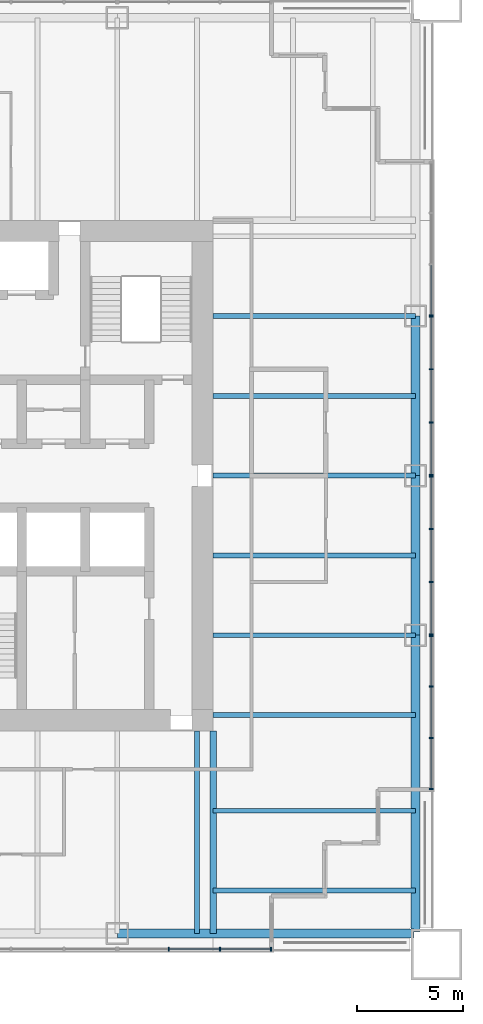
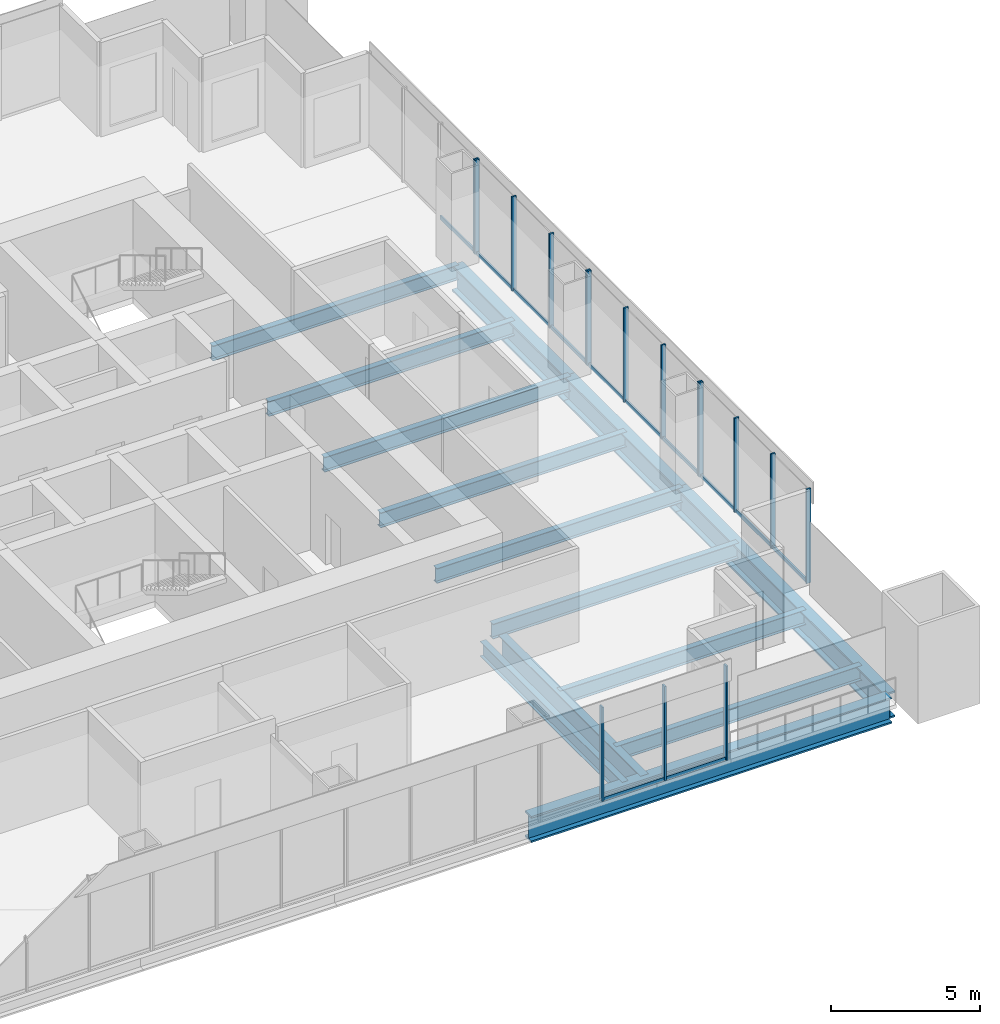
# One storey, part 4 of 13: 28 members, 14 beams, 5 elements without a shape of their own.
"""IFC4 building model written with IfcOpenShell, lengths in metres."""

from ifc_helpers import new_model, si_unit, direction, frame, origin, origin_2d, place, context, subcontext, project, spatial, rectangle, i_section, extrude, material, material_profile, profile_set, type_object, element, aggregate, save


model = new_model("IFC4")

# Units and contexts
model_context = context("Model", 3, precision=1e-05, world=origin(), true_north=direction((0.0, 1.0)))
body_context = subcontext(model_context, "Body", "Model", "MODEL_VIEW")
ifc_project = project(units=[si_unit("LENGTHUNIT", "METRE"), si_unit("AREAUNIT", "SQUARE_METRE"), si_unit("VOLUMEUNIT", "CUBIC_METRE"), si_unit("PLANEANGLEUNIT", "RADIAN"), si_unit("MASSUNIT", "GRAM", prefix="KILO")], contexts=[model_context])

# Site, building, storey
site_placement = place(None, origin())
site = spatial("IfcSite", under=ifc_project, at=site_placement, CompositionType="ELEMENT")
building_placement = place(site_placement, origin())
building = spatial("IfcBuilding", under=site, at=building_placement, Name="Tarangal Relay Tower", CompositionType="ELEMENT")
storey_placement = place(building_placement, frame((0.0, 0.0, 217.89990234375)))
storey = spatial("IfcBuildingStorey", under=building, at=storey_placement, Name="L46", CompositionType="ELEMENT", Elevation=217.89990234375)

# Beams
ifc_material_1 = material(Name="Steel ASTM A992", Category="steel")
ifc_material_profile_1 = material_profile(ifc_material_1, i_section(OverallWidth=0.227783203125, OverallDepth=0.60205078125, WebThickness=0.010498046875, FlangeThickness=0.014892578125, at=origin_2d()), Name="W24X68")
ifc_profile_set_1 = profile_set([ifc_material_profile_1], Name="Steel ASTM A992")
beam_type_1 = type_object("IfcBeamType", Name="Corner beam W24X68", PredefinedType="JOIST", material=ifc_profile_set_1)
for number, where, z_axis, x_axis, name in (
    (1, (12.0, -15.75, -0.450927734375), (1.0, 0.0, 0.0), (0.0, 1.0, 0.0), "Corner beam CB11 E L46"),
    (2, (12.0, -19.5, -0.450927734375), (1.0, 0.0, 0.0), (0.0, 1.0, 0.0), "Corner beam CB11 E L46"),
):
    element("IfcBeam", number, at=place(storey_placement, frame(where, z_axis=z_axis, x_axis=x_axis)), inside=storey, type_object=beam_type_1, Name=name, PredefinedType="JOIST", context=body_context, shape_type="SweptSolid", body=[
        extrude(i_section(OverallWidth=0.227783203125, OverallDepth=0.60205078125, WebThickness=0.010498046875, FlangeThickness=0.014892578125, at=origin_2d()), origin(), (0.0, 0.0, 1.0), 9.514892578125),
    ])
ifc_material_profile_2 = material_profile(ifc_material_1, i_section(OverallWidth=0.307373046875, OverallDepth=0.9423828125, WebThickness=0.022216796875, FlangeThickness=0.039794921875, at=origin_2d()), Name="W36X232")
ifc_profile_set_2 = profile_set([ifc_material_profile_2], Name="Steel ASTM A992")
beam_type_2 = type_object("IfcBeamType", Name="Corner girder W36X232", PredefinedType="BEAM", material=ifc_profile_set_2)
beam_placement = place(storey_placement, frame((12.0, -12.0, -0.62109375), z_axis=(0.0, -1.0, 0.0), x_axis=(1.0, 0.0, 0.0)))
element("IfcBeam", 3, at=beam_placement, inside=storey, type_object=beam_type_2, Name="Corner girder CG4 E L46", PredefinedType="BEAM", context=body_context, shape_type="SweptSolid", body=[
    extrude(i_section(OverallWidth=0.307373046875, OverallDepth=0.9423828125, WebThickness=0.022216796875, FlangeThickness=0.039794921875, at=origin_2d()), origin(), (0.0, 0.0, 1.0), 9.514892578125),
])
ifc_material_profile_3 = material_profile(ifc_material_1, i_section(OverallWidth=0.41650390625, OverallDepth=1.0693359375, WebThickness=0.0390625, FlangeThickness=0.070068359375, at=origin_2d()), Name="W40X503")
ifc_profile_set_3 = profile_set([ifc_material_profile_3], Name="Steel ASTM A992")
beam_type_3 = type_object("IfcBeamType", Name="Edge girder W40X503", PredefinedType="SPANDREL", material=ifc_profile_set_3)
for number, where, z_axis, x_axis, name in (
    (4, (21.514892578125, 7.5, -0.6845703125), (0.0, -1.0, 0.0), (1.0, 0.0, 0.0), "Edge girder EG8 E L46"),
    (5, (21.514892578125, 0.0, -0.6845703125), (0.0, -1.0, 0.0), (1.0, 0.0, 0.0), "Edge girder EG8 E L46"),
):
    element("IfcBeam", number, at=place(storey_placement, frame(where, z_axis=z_axis, x_axis=x_axis)), inside=storey, type_object=beam_type_3, Name=name, PredefinedType="SPANDREL", context=body_context, shape_type="SweptSolid", body=[
        extrude(i_section(OverallWidth=0.41650390625, OverallDepth=1.0693359375, WebThickness=0.0390625, FlangeThickness=0.070068359375, at=origin_2d()), origin(), (0.0, 0.0, 1.0), 7.5),
    ])
for number, where, z_axis, x_axis, name in (
    (6, (21.514892578125, -7.5, -0.6845703125), (0.0, -1.0, 0.0), (1.0, 0.0, 0.0), "Edge girder EG8 E L46"),
    (7, (21.449951171875, -21.514892578125, -0.6845703125), (-1.0, 0.0, 0.0), (0.0, -1.0, 0.0), "Edge girder EG8 S L46"),
):
    element("IfcBeam", number, at=place(storey_placement, frame(where, z_axis=z_axis, x_axis=x_axis)), inside=storey, type_object=beam_type_3, Name=name, PredefinedType="SPANDREL", context=body_context, shape_type="SweptSolid", body=[
        extrude(i_section(OverallWidth=0.41650390625, OverallDepth=1.0693359375, WebThickness=0.0390625, FlangeThickness=0.070068359375, at=origin_2d()), origin(), (0.0, 0.0, 1.0), 13.949951171875),
    ])
ifc_material_profile_4 = material_profile(ifc_material_1, i_section(OverallWidth=0.22900390625, OverallDepth=0.612060546875, WebThickness=0.011962890625, FlangeThickness=0.01953125, at=origin_2d()), Name="W24X84")
ifc_profile_set_4 = profile_set([ifc_material_profile_4], Name="Steel ASTM A992")
beam_type_4 = type_object("IfcBeamType", Name="Floor beam W24X84", PredefinedType="BEAM", material=ifc_profile_set_4)
for number, where, z_axis, x_axis, name in (
    (8, (12.0, 7.5, -0.455810546875), (1.0, 0.0, 0.0), (0.0, 1.0, 0.0), "Floor beam RB12 E L46"),
    (9, (12.0, 3.75, -0.455810546875), (1.0, 0.0, 0.0), (0.0, 1.0, 0.0), "Floor beam RB12 E L46"),
    (10, (12.0, 0.0, -0.455810546875), (1.0, 0.0, 0.0), (0.0, 1.0, 0.0), "Floor beam RB12 E L46"),
    (11, (12.0, -3.75, -0.455810546875), (1.0, 0.0, 0.0), (0.0, 1.0, 0.0), "Floor beam RB12 E L46"),
    (12, (12.0, -7.5, -0.455810546875), (1.0, 0.0, 0.0), (0.0, 1.0, 0.0), "Floor beam RB12 E L46"),
    (13, (12.0, -11.25, -0.455810546875), (1.0, 0.0, 0.0), (0.0, 1.0, 0.0), "Floor beam RB12 E L46"),
    (14, (11.25, -12.0, -0.455810546875), (0.0, -1.0, 0.0), (1.0, 0.0, 0.0), "Floor beam RB12 S L46"),
):
    element("IfcBeam", number, at=place(storey_placement, frame(where, z_axis=z_axis, x_axis=x_axis)), inside=storey, type_object=beam_type_4, Name=name, PredefinedType="BEAM", context=body_context, shape_type="SweptSolid", body=[
        extrude(i_section(OverallWidth=0.22900390625, OverallDepth=0.612060546875, WebThickness=0.011962890625, FlangeThickness=0.01953125, at=origin_2d()), origin(), (0.0, 0.0, 1.0), 9.514892578125),
    ])

# Curtain wall, member
ifc_material_2 = material(Name="Unitised curtain wall, dark glass and black aluminium", Category="aluminium")
curtain_wall_type = type_object("IfcCurtainWallType", Name="Curtain wall CW-A", PredefinedType="USERDEFINED", material=ifc_material_2)
curtain_wall_1_placement = place(storey_placement, origin())
curtain_wall_1 = element("IfcCurtainWall", 15, at=curtain_wall_1_placement, inside=storey, type_object=curtain_wall_type, Name="Curtain wall CW-A E facade L46", ObjectType="UNITISED CURTAIN WALL", PredefinedType="USERDEFINED")
ifc_material_3 = material(Name="Black anodised aluminium mullion", Category="aluminium")
ifc_material_profile_5 = material_profile(ifc_material_3, rectangle(XDim=0.175048828125, YDim=0.06494140625, at=origin_2d()), Name="CW-AM 65X175")
ifc_profile_set_5 = profile_set([ifc_material_profile_5], Name="Black anodised aluminium mullion")
member_type_1 = type_object("IfcMemberType", Name="Mullion CW-A 65 x 175", PredefinedType="MULLION", material=ifc_profile_set_5)
member_1_placement = place(storey_placement, frame((22.25, 7.532470703125, 0.0), z_axis=(0.0, 0.0, 1.0), x_axis=(1.0, 0.0, 0.0)))
member_1 = element("IfcMember", 16, at=member_1_placement, type_object=member_type_1, Name="CW-A mullion 4", PredefinedType="MULLION", context=body_context, shape_type="SweptSolid", body=[
    extrude(rectangle(XDim=0.175048828125, YDim=0.06494140625, at=origin_2d()), origin(), (0.0, 0.0, 1.0), 3.85009765625),
])

# Curtain wall, members
curtain_wall_2_placement = place(storey_placement, origin())
curtain_wall_2 = element("IfcCurtainWall", 17, at=curtain_wall_2_placement, inside=storey, type_object=curtain_wall_type, Name="Curtain wall CW-A E facade L46", ObjectType="UNITISED CURTAIN WALL", PredefinedType="USERDEFINED")
member_2_placement = place(storey_placement, frame((22.25, 7.467529296875, 0.0), z_axis=(0.0, 0.0, 1.0), x_axis=(1.0, 0.0, 0.0)))
member_2 = element("IfcMember", 18, at=member_2_placement, type_object=member_type_1, Name="CW-A mullion 1", PredefinedType="MULLION", context=body_context, shape_type="SweptSolid", body=[
    extrude(rectangle(XDim=0.175048828125, YDim=0.06494140625, at=origin_2d()), origin(), (0.0, 0.0, 1.0), 3.85009765625),
])
member_3_placement = place(storey_placement, frame((22.25, 5.0, 0.0), z_axis=(0.0, 0.0, 1.0), x_axis=(1.0, 0.0, 0.0)))
member_3 = element("IfcMember", 19, at=member_3_placement, type_object=member_type_1, Name="CW-A mullion 2", PredefinedType="MULLION", context=body_context, shape_type="SweptSolid", body=[
    extrude(rectangle(XDim=0.175048828125, YDim=0.06494140625, at=origin_2d()), origin(), (0.0, 0.0, 1.0), 3.85009765625),
])
member_4_placement = place(storey_placement, frame((22.25, 2.5, 0.0), z_axis=(0.0, 0.0, 1.0), x_axis=(1.0, 0.0, 0.0)))
member_4 = element("IfcMember", 20, at=member_4_placement, type_object=member_type_1, Name="CW-A mullion 3", PredefinedType="MULLION", context=body_context, shape_type="SweptSolid", body=[
    extrude(rectangle(XDim=0.175048828125, YDim=0.06494140625, at=origin_2d()), origin(), (0.0, 0.0, 1.0), 3.85009765625),
])
member_5_placement = place(storey_placement, frame((22.25, 0.032470703125, 0.0), z_axis=(0.0, 0.0, 1.0), x_axis=(1.0, 0.0, 0.0)))
member_5 = element("IfcMember", 21, at=member_5_placement, type_object=member_type_1, Name="CW-A mullion 4", PredefinedType="MULLION", context=body_context, shape_type="SweptSolid", body=[
    extrude(rectangle(XDim=0.175048828125, YDim=0.06494140625, at=origin_2d()), origin(), (0.0, 0.0, 1.0), 3.85009765625),
])

curtain_wall_3_placement = place(storey_placement, origin())
curtain_wall_3 = element("IfcCurtainWall", 22, at=curtain_wall_3_placement, inside=storey, type_object=curtain_wall_type, Name="Curtain wall CW-A E facade L46", ObjectType="UNITISED CURTAIN WALL", PredefinedType="USERDEFINED")
member_6_placement = place(storey_placement, frame((22.25, -0.032470703125, 0.0), z_axis=(0.0, 0.0, 1.0), x_axis=(1.0, 0.0, 0.0)))
member_6 = element("IfcMember", 23, at=member_6_placement, type_object=member_type_1, Name="CW-A mullion 1", PredefinedType="MULLION", context=body_context, shape_type="SweptSolid", body=[
    extrude(rectangle(XDim=0.175048828125, YDim=0.06494140625, at=origin_2d()), origin(), (0.0, 0.0, 1.0), 3.85009765625),
])
member_7_placement = place(storey_placement, frame((22.25, -2.5, 0.0), z_axis=(0.0, 0.0, 1.0), x_axis=(1.0, 0.0, 0.0)))
member_7 = element("IfcMember", 24, at=member_7_placement, type_object=member_type_1, Name="CW-A mullion 2", PredefinedType="MULLION", context=body_context, shape_type="SweptSolid", body=[
    extrude(rectangle(XDim=0.175048828125, YDim=0.06494140625, at=origin_2d()), origin(), (0.0, 0.0, 1.0), 3.85009765625),
])
member_8_placement = place(storey_placement, frame((22.25, -5.0, 0.0), z_axis=(0.0, 0.0, 1.0), x_axis=(1.0, 0.0, 0.0)))
member_8 = element("IfcMember", 25, at=member_8_placement, type_object=member_type_1, Name="CW-A mullion 3", PredefinedType="MULLION", context=body_context, shape_type="SweptSolid", body=[
    extrude(rectangle(XDim=0.175048828125, YDim=0.06494140625, at=origin_2d()), origin(), (0.0, 0.0, 1.0), 3.85009765625),
])
member_9_placement = place(storey_placement, frame((22.25, -7.467529296875, 0.0), z_axis=(0.0, 0.0, 1.0), x_axis=(1.0, 0.0, 0.0)))
member_9 = element("IfcMember", 26, at=member_9_placement, type_object=member_type_1, Name="CW-A mullion 4", PredefinedType="MULLION", context=body_context, shape_type="SweptSolid", body=[
    extrude(rectangle(XDim=0.175048828125, YDim=0.06494140625, at=origin_2d()), origin(), (0.0, 0.0, 1.0), 3.85009765625),
])

curtain_wall_4_placement = place(storey_placement, origin())
curtain_wall_4 = element("IfcCurtainWall", 27, at=curtain_wall_4_placement, inside=storey, type_object=curtain_wall_type, Name="Curtain wall CW-A E facade L46", ObjectType="UNITISED CURTAIN WALL", PredefinedType="USERDEFINED")
member_10_placement = place(storey_placement, frame((22.25, -7.532470703125, 0.0), z_axis=(0.0, 0.0, 1.0), x_axis=(1.0, 0.0, 0.0)))
member_10 = element("IfcMember", 28, at=member_10_placement, type_object=member_type_1, Name="CW-A mullion 1", PredefinedType="MULLION", context=body_context, shape_type="SweptSolid", body=[
    extrude(rectangle(XDim=0.175048828125, YDim=0.06494140625, at=origin_2d()), origin(), (0.0, 0.0, 1.0), 3.85009765625),
])
member_11_placement = place(storey_placement, frame((22.25, -9.916748046875, 0.0), z_axis=(0.0, 0.0, 1.0), x_axis=(1.0, 0.0, 0.0)))
member_11 = element("IfcMember", 29, at=member_11_placement, type_object=member_type_1, Name="CW-A mullion 2", PredefinedType="MULLION", context=body_context, shape_type="SweptSolid", body=[
    extrude(rectangle(XDim=0.175048828125, YDim=0.06494140625, at=origin_2d()), origin(), (0.0, 0.0, 1.0), 3.85009765625),
])
member_12_placement = place(storey_placement, frame((22.25, -12.333251953125, 0.0), z_axis=(0.0, 0.0, 1.0), x_axis=(1.0, 0.0, 0.0)))
member_12 = element("IfcMember", 30, at=member_12_placement, type_object=member_type_1, Name="CW-A mullion 3", PredefinedType="MULLION", context=body_context, shape_type="SweptSolid", body=[
    extrude(rectangle(XDim=0.175048828125, YDim=0.06494140625, at=origin_2d()), origin(), (0.0, 0.0, 1.0), 3.85009765625),
])
member_13_placement = place(storey_placement, frame((22.25, -14.717529296875, 0.0), z_axis=(0.0, 0.0, 1.0), x_axis=(1.0, 0.0, 0.0)))
member_13 = element("IfcMember", 31, at=member_13_placement, type_object=member_type_1, Name="CW-A mullion 4", PredefinedType="MULLION", context=body_context, shape_type="SweptSolid", body=[
    extrude(rectangle(XDim=0.175048828125, YDim=0.06494140625, at=origin_2d()), origin(), (0.0, 0.0, 1.0), 3.85009765625),
])

curtain_wall_5_placement = place(storey_placement, origin())
curtain_wall_5 = element("IfcCurtainWall", 32, at=curtain_wall_5_placement, inside=storey, type_object=curtain_wall_type, Name="Curtain wall CW-A S facade L46", ObjectType="UNITISED CURTAIN WALL", PredefinedType="USERDEFINED")
member_14_placement = place(storey_placement, frame((14.717529296875, -22.25, 0.0), z_axis=(0.0, 0.0, 1.0), x_axis=(0.0, -1.0, 0.0)))
member_14 = element("IfcMember", 33, at=member_14_placement, type_object=member_type_1, Name="CW-A mullion 1", PredefinedType="MULLION", context=body_context, shape_type="SweptSolid", body=[
    extrude(rectangle(XDim=0.175048828125, YDim=0.06494140625, at=origin_2d()), origin(), (0.0, 0.0, 1.0), 3.85009765625),
])
member_15_placement = place(storey_placement, frame((12.333251953125, -22.25, 0.0), z_axis=(0.0, 0.0, 1.0), x_axis=(0.0, -1.0, 0.0)))
member_15 = element("IfcMember", 34, at=member_15_placement, type_object=member_type_1, Name="CW-A mullion 2", PredefinedType="MULLION", context=body_context, shape_type="SweptSolid", body=[
    extrude(rectangle(XDim=0.175048828125, YDim=0.06494140625, at=origin_2d()), origin(), (0.0, 0.0, 1.0), 3.85009765625),
])
member_16_placement = place(storey_placement, frame((9.916748046875, -22.25, 0.0), z_axis=(0.0, 0.0, 1.0), x_axis=(0.0, -1.0, 0.0)))
member_16 = element("IfcMember", 35, at=member_16_placement, type_object=member_type_1, Name="CW-A mullion 3", PredefinedType="MULLION", context=body_context, shape_type="SweptSolid", body=[
    extrude(rectangle(XDim=0.175048828125, YDim=0.06494140625, at=origin_2d()), origin(), (0.0, 0.0, 1.0), 3.85009765625),
])

# Member
ifc_material_4 = material(Name="Black anodised aluminium transom", Category="aluminium")
ifc_material_profile_6 = material_profile(ifc_material_4, rectangle(XDim=0.06494140625, YDim=0.14990234375, at=origin_2d()), Name="CW-AT 65X150")
ifc_profile_set_6 = profile_set([ifc_material_profile_6], Name="Black anodised aluminium transom")
member_type_2 = type_object("IfcMemberType", Name="Transom CW-A 65 x 150", PredefinedType="USERDEFINED", material=ifc_profile_set_6)
member_17_placement = place(storey_placement, frame((22.25, 9.88427734375, 0.03271484375), z_axis=(0.0, -1.0, 0.0), x_axis=(1.0, 0.0, 0.0)))
member_17 = element("IfcMember", 36, at=member_17_placement, type_object=member_type_2, Name="CW-A transom 3.1", ObjectType="TRANSOM", PredefinedType="USERDEFINED", context=body_context, shape_type="SweptSolid", body=[
    extrude(rectangle(XDim=0.06494140625, YDim=0.14990234375, at=origin_2d()), origin(), (0.0, 0.0, 1.0), 2.3193359375),
])

aggregate(curtain_wall_1, [member_1, member_17])

member_18_placement = place(storey_placement, frame((22.25, 7.43505859375, 0.03271484375), z_axis=(0.0, -1.0, 0.0), x_axis=(1.0, 0.0, 0.0)))
member_18 = element("IfcMember", 37, at=member_18_placement, type_object=member_type_2, Name="CW-A transom 1.1", ObjectType="TRANSOM", PredefinedType="USERDEFINED", context=body_context, shape_type="SweptSolid", body=[
    extrude(rectangle(XDim=0.06494140625, YDim=0.14990234375, at=origin_2d()), origin(), (0.0, 0.0, 1.0), 2.402587890625),
])

member_19_placement = place(storey_placement, frame((22.25, 4.967529296875, 0.03271484375), z_axis=(0.0, -1.0, 0.0), x_axis=(1.0, 0.0, 0.0)))
member_19 = element("IfcMember", 38, at=member_19_placement, type_object=member_type_2, Name="CW-A transom 2.1", ObjectType="TRANSOM", PredefinedType="USERDEFINED", context=body_context, shape_type="SweptSolid", body=[
    extrude(rectangle(XDim=0.06494140625, YDim=0.14990234375, at=origin_2d()), origin(), (0.0, 0.0, 1.0), 2.43505859375),
])

member_20_placement = place(storey_placement, frame((22.25, 2.467529296875, 0.03271484375), z_axis=(0.0, -1.0, 0.0), x_axis=(1.0, 0.0, 0.0)))
member_20 = element("IfcMember", 39, at=member_20_placement, type_object=member_type_2, Name="CW-A transom 3.1", ObjectType="TRANSOM", PredefinedType="USERDEFINED", context=body_context, shape_type="SweptSolid", body=[
    extrude(rectangle(XDim=0.06494140625, YDim=0.14990234375, at=origin_2d()), origin(), (0.0, 0.0, 1.0), 2.402587890625),
])

aggregate(curtain_wall_2, [member_2, member_3, member_4, member_5, member_18, member_19, member_20])

member_21_placement = place(storey_placement, frame((22.25, -0.06494140625, 0.03271484375), z_axis=(0.0, -1.0, 0.0), x_axis=(1.0, 0.0, 0.0)))
member_21 = element("IfcMember", 40, at=member_21_placement, type_object=member_type_2, Name="CW-A transom 1.1", ObjectType="TRANSOM", PredefinedType="USERDEFINED", context=body_context, shape_type="SweptSolid", body=[
    extrude(rectangle(XDim=0.06494140625, YDim=0.14990234375, at=origin_2d()), origin(), (0.0, 0.0, 1.0), 2.402587890625),
])

member_22_placement = place(storey_placement, frame((22.25, -2.532470703125, 0.03271484375), z_axis=(0.0, -1.0, 0.0), x_axis=(1.0, 0.0, 0.0)))
member_22 = element("IfcMember", 41, at=member_22_placement, type_object=member_type_2, Name="CW-A transom 2.1", ObjectType="TRANSOM", PredefinedType="USERDEFINED", context=body_context, shape_type="SweptSolid", body=[
    extrude(rectangle(XDim=0.06494140625, YDim=0.14990234375, at=origin_2d()), origin(), (0.0, 0.0, 1.0), 2.43505859375),
])

member_23_placement = place(storey_placement, frame((22.25, -5.032470703125, 0.03271484375), z_axis=(0.0, -1.0, 0.0), x_axis=(1.0, 0.0, 0.0)))
member_23 = element("IfcMember", 42, at=member_23_placement, type_object=member_type_2, Name="CW-A transom 3.1", ObjectType="TRANSOM", PredefinedType="USERDEFINED", context=body_context, shape_type="SweptSolid", body=[
    extrude(rectangle(XDim=0.06494140625, YDim=0.14990234375, at=origin_2d()), origin(), (0.0, 0.0, 1.0), 2.402587890625),
])

aggregate(curtain_wall_3, [member_6, member_7, member_8, member_9, member_21, member_22, member_23])

member_24_placement = place(storey_placement, frame((22.25, -7.56494140625, 0.03271484375), z_axis=(0.0, -1.0, 0.0), x_axis=(1.0, 0.0, 0.0)))
member_24 = element("IfcMember", 43, at=member_24_placement, type_object=member_type_2, Name="CW-A transom 1.1", ObjectType="TRANSOM", PredefinedType="USERDEFINED", context=body_context, shape_type="SweptSolid", body=[
    extrude(rectangle(XDim=0.06494140625, YDim=0.14990234375, at=origin_2d()), origin(), (0.0, 0.0, 1.0), 2.3193359375),
])

member_25_placement = place(storey_placement, frame((22.25, -9.94921875, 0.03271484375), z_axis=(0.0, -1.0, 0.0), x_axis=(1.0, 0.0, 0.0)))
member_25 = element("IfcMember", 44, at=member_25_placement, type_object=member_type_2, Name="CW-A transom 2.1", ObjectType="TRANSOM", PredefinedType="USERDEFINED", context=body_context, shape_type="SweptSolid", body=[
    extrude(rectangle(XDim=0.06494140625, YDim=0.14990234375, at=origin_2d()), origin(), (0.0, 0.0, 1.0), 2.3515625),
])

member_26_placement = place(storey_placement, frame((22.25, -12.36572265625, 0.03271484375), z_axis=(0.0, -1.0, 0.0), x_axis=(1.0, 0.0, 0.0)))
member_26 = element("IfcMember", 45, at=member_26_placement, type_object=member_type_2, Name="CW-A transom 3.1", ObjectType="TRANSOM", PredefinedType="USERDEFINED", context=body_context, shape_type="SweptSolid", body=[
    extrude(rectangle(XDim=0.06494140625, YDim=0.14990234375, at=origin_2d()), origin(), (0.0, 0.0, 1.0), 2.3193359375),
])

aggregate(curtain_wall_4, [member_10, member_11, member_12, member_13, member_24, member_25, member_26])

member_27_placement = place(storey_placement, frame((14.68505859375, -22.25, 0.03271484375), z_axis=(-1.0, 0.0, 0.0), x_axis=(0.0, -1.0, 0.0)))
member_27 = element("IfcMember", 46, at=member_27_placement, type_object=member_type_2, Name="CW-A transom 1.1", ObjectType="TRANSOM", PredefinedType="USERDEFINED", context=body_context, shape_type="SweptSolid", body=[
    extrude(rectangle(XDim=0.06494140625, YDim=0.14990234375, at=origin_2d()), origin(), (0.0, 0.0, 1.0), 2.3193359375),
])

member_28_placement = place(storey_placement, frame((12.30078125, -22.25, 0.03271484375), z_axis=(-1.0, 0.0, 0.0), x_axis=(0.0, -1.0, 0.0)))
member_28 = element("IfcMember", 47, at=member_28_placement, type_object=member_type_2, Name="CW-A transom 2.1", ObjectType="TRANSOM", PredefinedType="USERDEFINED", context=body_context, shape_type="SweptSolid", body=[
    extrude(rectangle(XDim=0.06494140625, YDim=0.14990234375, at=origin_2d()), origin(), (0.0, 0.0, 1.0), 2.3515625),
])

aggregate(curtain_wall_5, [member_14, member_15, member_16, member_27, member_28])

save(model, "model.ifc")
